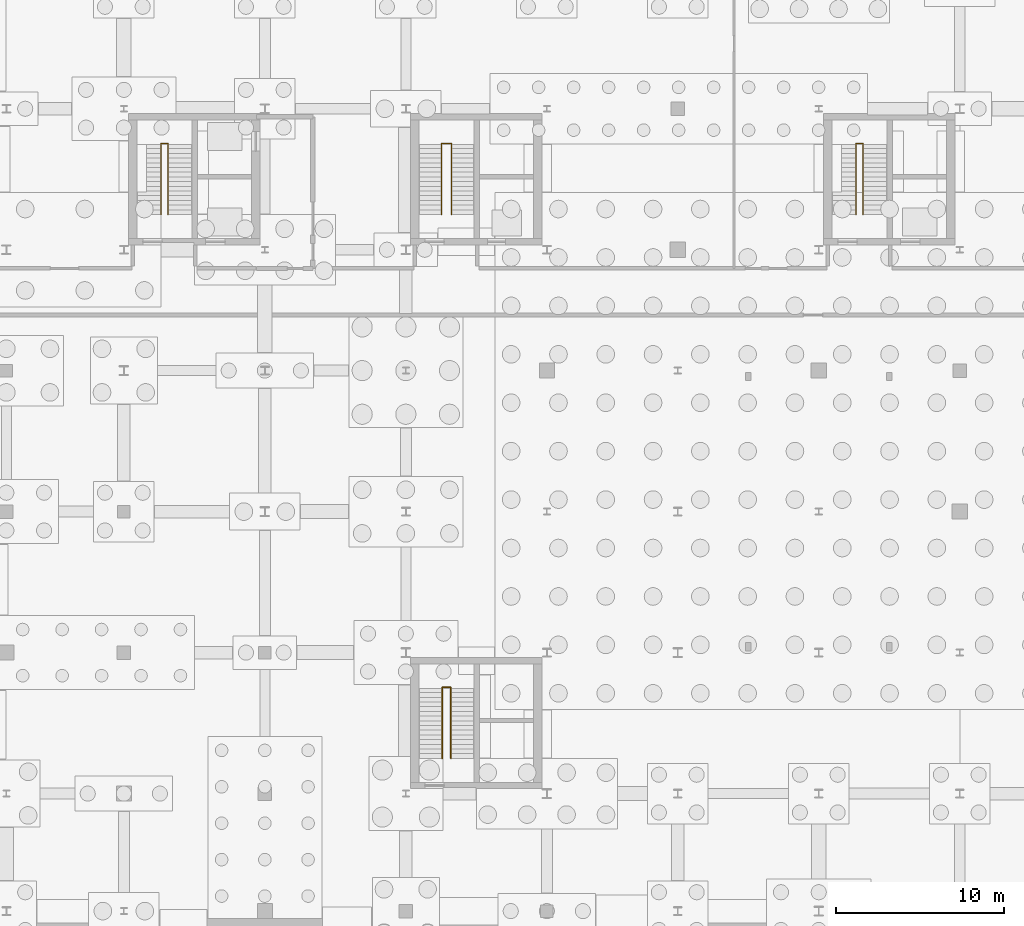
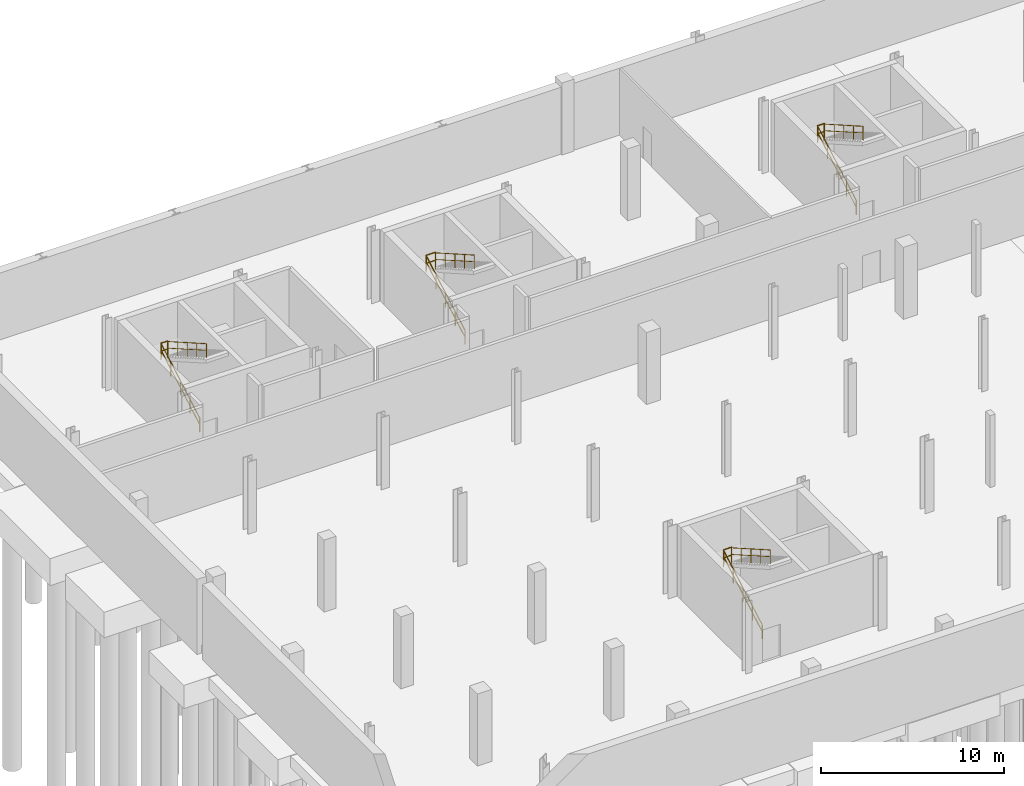
# One storey, part 28 of 32: 12 railings.
"""IFC4 building model written with IfcOpenShell, lengths in metres."""

from ifc_helpers import new_model, si_unit, direction, frame, origin_with_axes, origin_2d_with_axis, place, context, subcontext, project, spatial, circle, extrude, material, type_object, element, save


model = new_model("IFC4")

# Units and contexts
model_context = context("Model", 3, precision=1e-05, world=origin_with_axes(), true_north=direction((0.0, 1.0)))
body_context = subcontext(model_context, "Body", "Model", "MODEL_VIEW")
ifc_project = project(units=[si_unit("LENGTHUNIT", "METRE"), si_unit("AREAUNIT", "SQUARE_METRE"), si_unit("VOLUMEUNIT", "CUBIC_METRE"), si_unit("PLANEANGLEUNIT", "RADIAN"), si_unit("MASSUNIT", "GRAM", prefix="KILO"), si_unit("THERMODYNAMICTEMPERATUREUNIT", "KELVIN")], contexts=[model_context])

# Site, building, storey
site_placement = place(None, origin_with_axes())
site = spatial("IfcSite", under=ifc_project, at=site_placement, CompositionType="ELEMENT")
building_placement = place(site_placement, origin_with_axes())
building = spatial("IfcBuilding", under=site, at=building_placement, Name="Montbau Bow Law Courts", CompositionType="ELEMENT")
storey_placement = place(building_placement, frame((0.0, 0.0, -4.8), z_axis=(0.0, 0.0, 1.0), x_axis=(1.0, 0.0, 0.0)))
storey = spatial("IfcBuildingStorey", under=building, at=storey_placement, Name="B1", CompositionType="ELEMENT", Elevation=-4.8)

# Railings
ifc_material_1 = material(Name="Architectural Bronze-Finished Steel Stair Guard", Category="steel")
railing_type_1 = type_object("IfcRailingType", Name="RL-GRD-1100", PredefinedType="GUARDRAIL", material=ifc_material_1)
railing_1_placement = place(None, origin_with_axes())
element("IfcRailing", 1, at=railing_1_placement, inside=storey, type_object=railing_type_1, Name="SG-ST-P1-B1-ML:rlg_0033", PredefinedType="GUARDRAIL", context=body_context, shape_type="SweptSolid", body=[
    extrude(circle(Radius=0.0225, at=origin_2d_with_axis()), frame((16.01, 52.53, -1.298), z_axis=(1.0, 0.0, 0.0), x_axis=(0.0, 0.0, 1.0)), (0.0, 0.0, 1.0), 0.43),
    extrude(circle(Radius=0.02025, at=origin_2d_with_axis()), frame((16.01, 52.53, -1.828), z_axis=(1.0, 0.0, 0.0), x_axis=(0.0, 0.0, 1.0)), (0.0, 0.0, 1.0), 0.43),
    extrude(circle(Radius=0.02025, at=origin_2d_with_axis()), frame((16.01, 52.53, -2.4), z_axis=(0.0, 0.0, 1.0), x_axis=(1.0, 0.0, 0.0)), (0.0, 0.0, 1.0), 1.07525),
    extrude(circle(Radius=0.02025, at=origin_2d_with_axis()), frame((16.44, 52.53, -2.4), z_axis=(0.0, 0.0, 1.0), x_axis=(1.0, 0.0, 0.0)), (0.0, 0.0, 1.0), 1.07525),
])
railing_2_placement = place(None, origin_with_axes())
element("IfcRailing", 2, at=railing_2_placement, inside=storey, type_object=railing_type_1, Name="SG-ST-J1-B1-ML:rlg_0065", PredefinedType="GUARDRAIL", context=body_context, shape_type="SweptSolid", body=[
    extrude(circle(Radius=0.0225, at=origin_2d_with_axis()), frame((32.73, 52.53, -1.298), z_axis=(1.0, 0.0, 0.0), x_axis=(0.0, 0.0, 1.0)), (0.0, 0.0, 1.0), 0.59),
    extrude(circle(Radius=0.02025, at=origin_2d_with_axis()), frame((32.73, 52.53, -1.828), z_axis=(1.0, 0.0, 0.0), x_axis=(0.0, 0.0, 1.0)), (0.0, 0.0, 1.0), 0.59),
    extrude(circle(Radius=0.02025, at=origin_2d_with_axis()), frame((32.73, 52.53, -2.4), z_axis=(0.0, 0.0, 1.0), x_axis=(1.0, 0.0, 0.0)), (0.0, 0.0, 1.0), 1.07525),
    extrude(circle(Radius=0.02025, at=origin_2d_with_axis()), frame((33.32, 52.53, -2.4), z_axis=(0.0, 0.0, 1.0), x_axis=(1.0, 0.0, 0.0)), (0.0, 0.0, 1.0), 1.07525),
])
railing_3_placement = place(None, origin_with_axes())
element("IfcRailing", 3, at=railing_3_placement, inside=storey, type_object=railing_type_1, Name="SG-ST-P4-B1-ML:rlg_0097", PredefinedType="GUARDRAIL", context=body_context, shape_type="SweptSolid", body=[
    extrude(circle(Radius=0.0225, at=origin_2d_with_axis()), frame((57.41, 52.53, -1.298), z_axis=(1.0, 0.0, 0.0), x_axis=(0.0, 0.0, 1.0)), (0.0, 0.0, 1.0), 0.43),
    extrude(circle(Radius=0.02025, at=origin_2d_with_axis()), frame((57.41, 52.53, -1.828), z_axis=(1.0, 0.0, 0.0), x_axis=(0.0, 0.0, 1.0)), (0.0, 0.0, 1.0), 0.43),
    extrude(circle(Radius=0.02025, at=origin_2d_with_axis()), frame((57.41, 52.53, -2.4), z_axis=(0.0, 0.0, 1.0), x_axis=(1.0, 0.0, 0.0)), (0.0, 0.0, 1.0), 1.07525),
    extrude(circle(Radius=0.02025, at=origin_2d_with_axis()), frame((57.84, 52.53, -2.4), z_axis=(0.0, 0.0, 1.0), x_axis=(1.0, 0.0, 0.0)), (0.0, 0.0, 1.0), 1.07525),
])
railing_4_placement = place(None, origin_with_axes())
element("IfcRailing", 4, at=railing_4_placement, inside=storey, type_object=railing_type_1, Name="SG-ST-CER1-B1-ML:rlg_0263", PredefinedType="GUARDRAIL", context=body_context, shape_type="SweptSolid", body=[
    extrude(circle(Radius=0.0225, at=origin_2d_with_axis()), frame((32.77, 20.13, -1.298), z_axis=(1.0, 0.0, 0.0), x_axis=(0.0, 0.0, 1.0)), (0.0, 0.0, 1.0), 0.51),
    extrude(circle(Radius=0.02025, at=origin_2d_with_axis()), frame((32.77, 20.13, -1.828), z_axis=(1.0, 0.0, 0.0), x_axis=(0.0, 0.0, 1.0)), (0.0, 0.0, 1.0), 0.51),
    extrude(circle(Radius=0.02025, at=origin_2d_with_axis()), frame((32.77, 20.13, -2.4), z_axis=(0.0, 0.0, 1.0), x_axis=(1.0, 0.0, 0.0)), (0.0, 0.0, 1.0), 1.07525),
    extrude(circle(Radius=0.02025, at=origin_2d_with_axis()), frame((33.28, 20.13, -2.4), z_axis=(0.0, 0.0, 1.0), x_axis=(1.0, 0.0, 0.0)), (0.0, 0.0, 1.0), 1.07525),
])
ifc_material_2 = material(Name="White-Oak and Stainless Continuous Stair Handrail", Category="steel")
railing_type_2 = type_object("IfcRailingType", Name="RL-HND-0920", PredefinedType="HANDRAIL", material=ifc_material_2)
railing_5_placement = place(None, origin_with_axes())
element("IfcRailing", 5, at=railing_5_placement, inside=storey, type_object=railing_type_2, Name="HR-ST-P1-B1-1:rlg_0034", PredefinedType="HANDRAIL", context=body_context, shape_type="SweptSolid", body=[
    extrude(circle(Radius=0.021, at=origin_2d_with_axis()), frame((16.01, 48.3, -3.718), z_axis=(0.0, 0.868243142, 0.496138938), x_axis=(0.0, -0.496138938, 0.868243142)), (0.0, 0.0, 1.0), 4.837355),
    extrude(circle(Radius=0.0189, at=origin_2d_with_axis()), frame((16.01, 48.3, -4.1616), z_axis=(0.0, 0.868243142, 0.496138938), x_axis=(0.0, -0.496138938, 0.868243142)), (0.0, 0.0, 1.0), 4.837355),
    extrude(circle(Radius=0.0189, at=origin_2d_with_axis()), frame((16.01, 48.3, -4.64), z_axis=(0.0, 0.0, 1.0), x_axis=(1.0, 0.0, 0.0)), (0.0, 0.0, 1.0), 0.8969),
    extrude(circle(Radius=0.0189, at=origin_2d_with_axis()), frame((16.01, 49.35, -4.04), z_axis=(0.0, 0.0, 1.0), x_axis=(1.0, 0.0, 0.0)), (0.0, 0.0, 1.0), 0.8969),
    extrude(circle(Radius=0.0189, at=origin_2d_with_axis()), frame((16.01, 50.4, -3.44), z_axis=(0.0, 0.0, 1.0), x_axis=(1.0, 0.0, 0.0)), (0.0, 0.0, 1.0), 0.8969),
    extrude(circle(Radius=0.0189, at=origin_2d_with_axis()), frame((16.01, 51.45, -2.84), z_axis=(0.0, 0.0, 1.0), x_axis=(1.0, 0.0, 0.0)), (0.0, 0.0, 1.0), 0.8969),
    extrude(circle(Radius=0.0189, at=origin_2d_with_axis()), frame((16.01, 52.5, -2.24), z_axis=(0.0, 0.0, 1.0), x_axis=(1.0, 0.0, 0.0)), (0.0, 0.0, 1.0), 0.8969),
])
railing_6_placement = place(None, origin_with_axes())
element("IfcRailing", 6, at=railing_6_placement, inside=storey, type_object=railing_type_2, Name="HR-ST-P1-B1-2:rlg_0035", PredefinedType="HANDRAIL", context=body_context, shape_type="SweptSolid", body=[
    extrude(circle(Radius=0.021, at=origin_2d_with_axis()), frame((16.44, 52.5, -1.318), z_axis=(0.0, -0.868243142, 0.496138938), x_axis=(0.0, 0.496138938, 0.868243142)), (0.0, 0.0, 1.0), 4.837355),
    extrude(circle(Radius=0.0189, at=origin_2d_with_axis()), frame((16.44, 52.5, -1.7616), z_axis=(0.0, -0.868243142, 0.496138938), x_axis=(0.0, 0.496138938, 0.868243142)), (0.0, 0.0, 1.0), 4.837355),
    extrude(circle(Radius=0.0189, at=origin_2d_with_axis()), frame((16.44, 52.5, -2.24), z_axis=(0.0, 0.0, 1.0), x_axis=(1.0, 0.0, 0.0)), (0.0, 0.0, 1.0), 0.8969),
    extrude(circle(Radius=0.0189, at=origin_2d_with_axis()), frame((16.44, 51.45, -1.64), z_axis=(0.0, 0.0, 1.0), x_axis=(1.0, 0.0, 0.0)), (0.0, 0.0, 1.0), 0.8969),
    extrude(circle(Radius=0.0189, at=origin_2d_with_axis()), frame((16.44, 50.4, -1.04), z_axis=(0.0, 0.0, 1.0), x_axis=(1.0, 0.0, 0.0)), (0.0, 0.0, 1.0), 0.8969),
    extrude(circle(Radius=0.0189, at=origin_2d_with_axis()), frame((16.44, 49.35, -0.44), z_axis=(0.0, 0.0, 1.0), x_axis=(1.0, 0.0, 0.0)), (0.0, 0.0, 1.0), 0.8969),
    extrude(circle(Radius=0.0189, at=origin_2d_with_axis()), frame((16.44, 48.3, 0.16), z_axis=(0.0, 0.0, 1.0), x_axis=(1.0, 0.0, 0.0)), (0.0, 0.0, 1.0), 0.8969),
])
railing_7_placement = place(None, origin_with_axes())
element("IfcRailing", 7, at=railing_7_placement, inside=storey, type_object=railing_type_2, Name="HR-ST-J1-B1-1:rlg_0066", PredefinedType="HANDRAIL", context=body_context, shape_type="SweptSolid", body=[
    extrude(circle(Radius=0.021, at=origin_2d_with_axis()), frame((32.73, 48.3, -3.718), z_axis=(0.0, 0.868243142, 0.496138938), x_axis=(0.0, -0.496138938, 0.868243142)), (0.0, 0.0, 1.0), 4.837355),
    extrude(circle(Radius=0.0189, at=origin_2d_with_axis()), frame((32.73, 48.3, -4.1616), z_axis=(0.0, 0.868243142, 0.496138938), x_axis=(0.0, -0.496138938, 0.868243142)), (0.0, 0.0, 1.0), 4.837355),
    extrude(circle(Radius=0.0189, at=origin_2d_with_axis()), frame((32.73, 48.3, -4.64), z_axis=(0.0, 0.0, 1.0), x_axis=(1.0, 0.0, 0.0)), (0.0, 0.0, 1.0), 0.8969),
    extrude(circle(Radius=0.0189, at=origin_2d_with_axis()), frame((32.73, 49.35, -4.04), z_axis=(0.0, 0.0, 1.0), x_axis=(1.0, 0.0, 0.0)), (0.0, 0.0, 1.0), 0.8969),
    extrude(circle(Radius=0.0189, at=origin_2d_with_axis()), frame((32.73, 50.4, -3.44), z_axis=(0.0, 0.0, 1.0), x_axis=(1.0, 0.0, 0.0)), (0.0, 0.0, 1.0), 0.8969),
    extrude(circle(Radius=0.0189, at=origin_2d_with_axis()), frame((32.73, 51.45, -2.84), z_axis=(0.0, 0.0, 1.0), x_axis=(1.0, 0.0, 0.0)), (0.0, 0.0, 1.0), 0.8969),
    extrude(circle(Radius=0.0189, at=origin_2d_with_axis()), frame((32.73, 52.5, -2.24), z_axis=(0.0, 0.0, 1.0), x_axis=(1.0, 0.0, 0.0)), (0.0, 0.0, 1.0), 0.8969),
])
railing_8_placement = place(None, origin_with_axes())
element("IfcRailing", 8, at=railing_8_placement, inside=storey, type_object=railing_type_2, Name="HR-ST-J1-B1-2:rlg_0067", PredefinedType="HANDRAIL", context=body_context, shape_type="SweptSolid", body=[
    extrude(circle(Radius=0.021, at=origin_2d_with_axis()), frame((33.32, 52.5, -1.318), z_axis=(0.0, -0.868243142, 0.496138938), x_axis=(0.0, 0.496138938, 0.868243142)), (0.0, 0.0, 1.0), 4.837355),
    extrude(circle(Radius=0.0189, at=origin_2d_with_axis()), frame((33.32, 52.5, -1.7616), z_axis=(0.0, -0.868243142, 0.496138938), x_axis=(0.0, 0.496138938, 0.868243142)), (0.0, 0.0, 1.0), 4.837355),
    extrude(circle(Radius=0.0189, at=origin_2d_with_axis()), frame((33.32, 52.5, -2.24), z_axis=(0.0, 0.0, 1.0), x_axis=(1.0, 0.0, 0.0)), (0.0, 0.0, 1.0), 0.8969),
    extrude(circle(Radius=0.0189, at=origin_2d_with_axis()), frame((33.32, 51.45, -1.64), z_axis=(0.0, 0.0, 1.0), x_axis=(1.0, 0.0, 0.0)), (0.0, 0.0, 1.0), 0.8969),
    extrude(circle(Radius=0.0189, at=origin_2d_with_axis()), frame((33.32, 50.4, -1.04), z_axis=(0.0, 0.0, 1.0), x_axis=(1.0, 0.0, 0.0)), (0.0, 0.0, 1.0), 0.8969),
    extrude(circle(Radius=0.0189, at=origin_2d_with_axis()), frame((33.32, 49.35, -0.44), z_axis=(0.0, 0.0, 1.0), x_axis=(1.0, 0.0, 0.0)), (0.0, 0.0, 1.0), 0.8969),
    extrude(circle(Radius=0.0189, at=origin_2d_with_axis()), frame((33.32, 48.3, 0.16), z_axis=(0.0, 0.0, 1.0), x_axis=(1.0, 0.0, 0.0)), (0.0, 0.0, 1.0), 0.8969),
])
railing_9_placement = place(None, origin_with_axes())
element("IfcRailing", 9, at=railing_9_placement, inside=storey, type_object=railing_type_2, Name="HR-ST-P4-B1-1:rlg_0098", PredefinedType="HANDRAIL", context=body_context, shape_type="SweptSolid", body=[
    extrude(circle(Radius=0.021, at=origin_2d_with_axis()), frame((57.41, 48.3, -3.718), z_axis=(0.0, 0.868243142, 0.496138938), x_axis=(0.0, -0.496138938, 0.868243142)), (0.0, 0.0, 1.0), 4.837355),
    extrude(circle(Radius=0.0189, at=origin_2d_with_axis()), frame((57.41, 48.3, -4.1616), z_axis=(0.0, 0.868243142, 0.496138938), x_axis=(0.0, -0.496138938, 0.868243142)), (0.0, 0.0, 1.0), 4.837355),
    extrude(circle(Radius=0.0189, at=origin_2d_with_axis()), frame((57.41, 48.3, -4.64), z_axis=(0.0, 0.0, 1.0), x_axis=(1.0, 0.0, 0.0)), (0.0, 0.0, 1.0), 0.8969),
    extrude(circle(Radius=0.0189, at=origin_2d_with_axis()), frame((57.41, 49.35, -4.04), z_axis=(0.0, 0.0, 1.0), x_axis=(1.0, 0.0, 0.0)), (0.0, 0.0, 1.0), 0.8969),
    extrude(circle(Radius=0.0189, at=origin_2d_with_axis()), frame((57.41, 50.4, -3.44), z_axis=(0.0, 0.0, 1.0), x_axis=(1.0, 0.0, 0.0)), (0.0, 0.0, 1.0), 0.8969),
    extrude(circle(Radius=0.0189, at=origin_2d_with_axis()), frame((57.41, 51.45, -2.84), z_axis=(0.0, 0.0, 1.0), x_axis=(1.0, 0.0, 0.0)), (0.0, 0.0, 1.0), 0.8969),
    extrude(circle(Radius=0.0189, at=origin_2d_with_axis()), frame((57.41, 52.5, -2.24), z_axis=(0.0, 0.0, 1.0), x_axis=(1.0, 0.0, 0.0)), (0.0, 0.0, 1.0), 0.8969),
])
railing_10_placement = place(None, origin_with_axes())
element("IfcRailing", 10, at=railing_10_placement, inside=storey, type_object=railing_type_2, Name="HR-ST-P4-B1-2:rlg_0099", PredefinedType="HANDRAIL", context=body_context, shape_type="SweptSolid", body=[
    extrude(circle(Radius=0.021, at=origin_2d_with_axis()), frame((57.84, 52.5, -1.318), z_axis=(0.0, -0.868243142, 0.496138938), x_axis=(0.0, 0.496138938, 0.868243142)), (0.0, 0.0, 1.0), 4.837355),
    extrude(circle(Radius=0.0189, at=origin_2d_with_axis()), frame((57.84, 52.5, -1.7616), z_axis=(0.0, -0.868243142, 0.496138938), x_axis=(0.0, 0.496138938, 0.868243142)), (0.0, 0.0, 1.0), 4.837355),
    extrude(circle(Radius=0.0189, at=origin_2d_with_axis()), frame((57.84, 52.5, -2.24), z_axis=(0.0, 0.0, 1.0), x_axis=(1.0, 0.0, 0.0)), (0.0, 0.0, 1.0), 0.8969),
    extrude(circle(Radius=0.0189, at=origin_2d_with_axis()), frame((57.84, 51.45, -1.64), z_axis=(0.0, 0.0, 1.0), x_axis=(1.0, 0.0, 0.0)), (0.0, 0.0, 1.0), 0.8969),
    extrude(circle(Radius=0.0189, at=origin_2d_with_axis()), frame((57.84, 50.4, -1.04), z_axis=(0.0, 0.0, 1.0), x_axis=(1.0, 0.0, 0.0)), (0.0, 0.0, 1.0), 0.8969),
    extrude(circle(Radius=0.0189, at=origin_2d_with_axis()), frame((57.84, 49.35, -0.44), z_axis=(0.0, 0.0, 1.0), x_axis=(1.0, 0.0, 0.0)), (0.0, 0.0, 1.0), 0.8969),
    extrude(circle(Radius=0.0189, at=origin_2d_with_axis()), frame((57.84, 48.3, 0.16), z_axis=(0.0, 0.0, 1.0), x_axis=(1.0, 0.0, 0.0)), (0.0, 0.0, 1.0), 0.8969),
])
railing_11_placement = place(None, origin_with_axes())
element("IfcRailing", 11, at=railing_11_placement, inside=storey, type_object=railing_type_2, Name="HR-ST-CER1-B1-1:rlg_0264", PredefinedType="HANDRAIL", context=body_context, shape_type="SweptSolid", body=[
    extrude(circle(Radius=0.021, at=origin_2d_with_axis()), frame((32.77, 15.9, -3.718), z_axis=(0.0, 0.868243142, 0.496138938), x_axis=(0.0, -0.496138938, 0.868243142)), (0.0, 0.0, 1.0), 4.837355),
    extrude(circle(Radius=0.0189, at=origin_2d_with_axis()), frame((32.77, 15.9, -4.1616), z_axis=(0.0, 0.868243142, 0.496138938), x_axis=(0.0, -0.496138938, 0.868243142)), (0.0, 0.0, 1.0), 4.837355),
    extrude(circle(Radius=0.0189, at=origin_2d_with_axis()), frame((32.77, 15.9, -4.64), z_axis=(0.0, 0.0, 1.0), x_axis=(1.0, 0.0, 0.0)), (0.0, 0.0, 1.0), 0.8969),
    extrude(circle(Radius=0.0189, at=origin_2d_with_axis()), frame((32.77, 16.95, -4.04), z_axis=(0.0, 0.0, 1.0), x_axis=(1.0, 0.0, 0.0)), (0.0, 0.0, 1.0), 0.8969),
    extrude(circle(Radius=0.0189, at=origin_2d_with_axis()), frame((32.77, 18.0, -3.44), z_axis=(0.0, 0.0, 1.0), x_axis=(1.0, 0.0, 0.0)), (0.0, 0.0, 1.0), 0.8969),
    extrude(circle(Radius=0.0189, at=origin_2d_with_axis()), frame((32.77, 19.05, -2.84), z_axis=(0.0, 0.0, 1.0), x_axis=(1.0, 0.0, 0.0)), (0.0, 0.0, 1.0), 0.8969),
    extrude(circle(Radius=0.0189, at=origin_2d_with_axis()), frame((32.77, 20.1, -2.24), z_axis=(0.0, 0.0, 1.0), x_axis=(1.0, 0.0, 0.0)), (0.0, 0.0, 1.0), 0.8969),
])
railing_12_placement = place(None, origin_with_axes())
element("IfcRailing", 12, at=railing_12_placement, inside=storey, type_object=railing_type_2, Name="HR-ST-CER1-B1-2:rlg_0265", PredefinedType="HANDRAIL", context=body_context, shape_type="SweptSolid", body=[
    extrude(circle(Radius=0.021, at=origin_2d_with_axis()), frame((33.28, 20.1, -1.318), z_axis=(0.0, -0.868243142, 0.496138938), x_axis=(0.0, 0.496138938, 0.868243142)), (0.0, 0.0, 1.0), 4.837355),
    extrude(circle(Radius=0.0189, at=origin_2d_with_axis()), frame((33.28, 20.1, -1.7616), z_axis=(0.0, -0.868243142, 0.496138938), x_axis=(0.0, 0.496138938, 0.868243142)), (0.0, 0.0, 1.0), 4.837355),
    extrude(circle(Radius=0.0189, at=origin_2d_with_axis()), frame((33.28, 20.1, -2.24), z_axis=(0.0, 0.0, 1.0), x_axis=(1.0, 0.0, 0.0)), (0.0, 0.0, 1.0), 0.8969),
    extrude(circle(Radius=0.0189, at=origin_2d_with_axis()), frame((33.28, 19.05, -1.64), z_axis=(0.0, 0.0, 1.0), x_axis=(1.0, 0.0, 0.0)), (0.0, 0.0, 1.0), 0.8969),
    extrude(circle(Radius=0.0189, at=origin_2d_with_axis()), frame((33.28, 18.0, -1.04), z_axis=(0.0, 0.0, 1.0), x_axis=(1.0, 0.0, 0.0)), (0.0, 0.0, 1.0), 0.8969),
    extrude(circle(Radius=0.0189, at=origin_2d_with_axis()), frame((33.28, 16.95, -0.44), z_axis=(0.0, 0.0, 1.0), x_axis=(1.0, 0.0, 0.0)), (0.0, 0.0, 1.0), 0.8969),
    extrude(circle(Radius=0.0189, at=origin_2d_with_axis()), frame((33.28, 15.9, 0.16), z_axis=(0.0, 0.0, 1.0), x_axis=(1.0, 0.0, 0.0)), (0.0, 0.0, 1.0), 0.8969),
])

save(model, "model.ifc")
